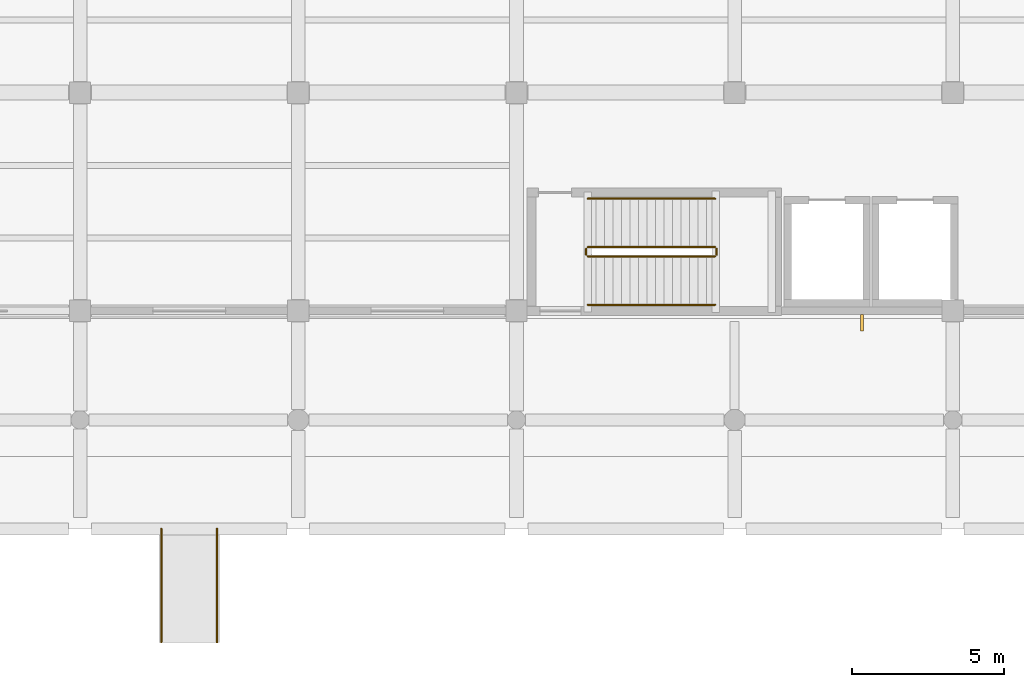
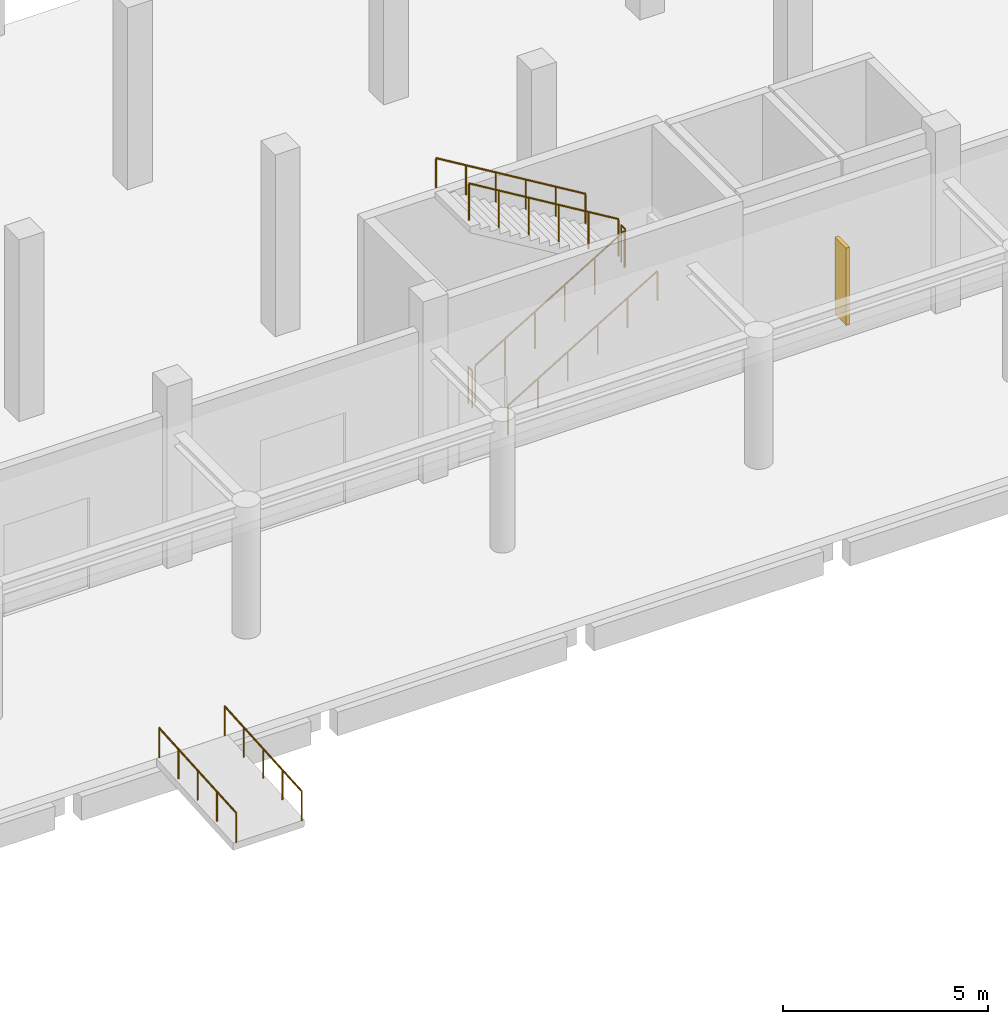
# One storey, part 33 of 46: 8 railings, 1 shading device.
"""IFC4 building model written with IfcOpenShell, lengths in metres."""

from ifc_helpers import new_model, si_unit, direction, frame, origin, origin_2d, place, context, subcontext, project, spatial, rectangle, circle, extrude, material, type_object, element, save


model = new_model("IFC4")

# Units and contexts
model_context = context("Model", 3, precision=1e-05, world=origin(), true_north=direction((0.0, 1.0)))
body_context = subcontext(model_context, "Body", "Model", "MODEL_VIEW")
ifc_project = project(units=[si_unit("LENGTHUNIT", "METRE"), si_unit("AREAUNIT", "SQUARE_METRE"), si_unit("VOLUMEUNIT", "CUBIC_METRE"), si_unit("PLANEANGLEUNIT", "RADIAN"), si_unit("MASSUNIT", "GRAM", prefix="KILO"), si_unit("THERMODYNAMICTEMPERATUREUNIT", "KELVIN"), si_unit("POWERUNIT", "WATT")], contexts=[model_context])

# Site, building, storey
site_placement = place(None, origin())
site = spatial("IfcSite", under=ifc_project, at=site_placement, CompositionType="ELEMENT")
building_placement = place(site_placement, origin())
building = spatial("IfcBuilding", under=site, at=building_placement, Name="Kaldorven Railside Theatre", CompositionType="ELEMENT")
storey_placement = place(building_placement, origin())
storey = spatial("IfcBuildingStorey", under=building, at=storey_placement, Name="L00", CompositionType="ELEMENT", Elevation=0.0)

# Railings
ifc_material_1 = material(Name="Anodised bronze aluminium", Category="aluminium")
railing_type_1 = type_object("IfcRailingType", Name="RLG-BAL-1100", PredefinedType="BALUSTRADE", material=ifc_material_1)
for number, where, name in (
    (1, (46.679931640625, 8.260009765625, -0.25), "Ramp Handrail RHR-02W"),
    (2, (48.52001953125, 8.260009765625, -0.25), "Ramp Handrail RHR-02E"),
):
    element("IfcRailing", number, at=place(storey_placement, frame(where)), inside=storey, type_object=railing_type_1, Name=name, PredefinedType="HANDRAIL", context=body_context, shape_type="SweptSolid", body=[
        extrude(circle(Radius=0.02392578125, at=origin_2d()), frame((0.0, 0.0, 0.8759765625), z_axis=(0.0, 0.997785157857, 0.066519010524), x_axis=(-1.0, 0.0, 0.0)), (0.0, 0.0, 1.0), 3.75830078125),
        extrude(circle(Radius=0.02099609375, at=origin_2d()), origin(), (0.0, 0.0, 1.0), 0.851806640625),
        extrude(circle(Radius=0.02099609375, at=origin_2d()), frame((0.0, 0.9375, 0.0625)), (0.0, 0.0, 1.0), 0.851806640625),
        extrude(circle(Radius=0.02099609375, at=origin_2d()), frame((0.0, 1.875, 0.125)), (0.0, 0.0, 1.0), 0.851806640625),
        extrude(circle(Radius=0.02099609375, at=origin_2d()), frame((0.0, 2.8125, 0.1875)), (0.0, 0.0, 1.0), 0.851806640625),
        extrude(circle(Radius=0.02099609375, at=origin_2d()), frame((0.0, 3.75, 0.25)), (0.0, 0.0, 1.0), 0.851806640625),
    ])
ifc_material_2 = material(Name="Steel S355", Category="steel")
railing_type_2 = type_object("IfcRailingType", Name="RLG-STG-1100", PredefinedType="BALUSTRADE", material=ifc_material_2)
railing_1_placement = place(storey_placement, frame((60.75, 21.0, 0.168701171875)))
element("IfcRailing", 3, at=railing_1_placement, inside=storey, type_object=railing_type_2, Name="L00 ST-03 stair guard 1", PredefinedType="BALUSTRADE", context=body_context, shape_type="SweptSolid", body=[
    extrude(circle(Radius=0.02392578125, at=origin_2d()), frame((0.0, 0.0, 1.09619140625), z_axis=(0.856476492594, 0.0, 0.516186030065), x_axis=(0.0, 1.0, 0.0)), (0.0, 0.0, 1.0), 4.90380859375),
    extrude(circle(Radius=0.02099609375, at=origin_2d()), origin(), (0.0, 0.0, 1.0), 1.072021484375),
    extrude(circle(Radius=0.02099609375, at=origin_2d()), frame((0.840087890625, 0.0, 0.50634765625)), (0.0, 0.0, 1.0), 1.072021484375),
    extrude(circle(Radius=0.02099609375, at=origin_2d()), frame((1.679931640625, 0.0, 1.012451171875)), (0.0, 0.0, 1.0), 1.072021484375),
    extrude(circle(Radius=0.02099609375, at=origin_2d()), frame((2.52001953125, 0.0, 1.518798828125)), (0.0, 0.0, 1.0), 1.072021484375),
    extrude(circle(Radius=0.02099609375, at=origin_2d()), frame((3.35986328125, 0.0, 2.02490234375)), (0.0, 0.0, 1.0), 1.072021484375),
    extrude(circle(Radius=0.02099609375, at=origin_2d()), frame((4.199951171875, 0.0, 2.53125)), (0.0, 0.0, 1.0), 1.072021484375),
])
railing_2_placement = place(storey_placement, frame((65.0, 21.050048828125, 2.699951171875)))
element("IfcRailing", 4, at=railing_2_placement, inside=storey, type_object=railing_type_2, Name="L00 ST-03 stair guard 2", PredefinedType="BALUSTRADE", context=body_context, shape_type="SweptSolid", body=[
    extrude(circle(Radius=0.02392578125, at=origin_2d()), frame((0.0, 0.0, 1.09619140625), z_axis=(0.0, 1.0, 0.0), x_axis=(-1.0, 0.0, 0.0)), (0.0, 0.0, 1.0), 0.199951171875),
    extrude(circle(Radius=0.02099609375, at=origin_2d()), origin(), (0.0, 0.0, 1.0), 1.072021484375),
    extrude(circle(Radius=0.02099609375, at=origin_2d()), frame((0.0, 0.199951171875, 0.0)), (0.0, 0.0, 1.0), 1.072021484375),
])
railing_3_placement = place(storey_placement, frame((64.949951171875, 21.300048828125, 2.86865234375)))
element("IfcRailing", 5, at=railing_3_placement, inside=storey, type_object=railing_type_2, Name="L00 ST-03 stair guard 3", PredefinedType="BALUSTRADE", context=body_context, shape_type="SweptSolid", body=[
    extrude(circle(Radius=0.02392578125, at=origin_2d()), frame((0.0, 0.0, 1.09619140625), z_axis=(-0.856476492594, 0.0, 0.516186030065), x_axis=(0.0, -1.0, 0.0)), (0.0, 0.0, 1.0), 4.90380859375),
    extrude(circle(Radius=0.02099609375, at=origin_2d()), origin(), (0.0, 0.0, 1.0), 1.072021484375),
    extrude(circle(Radius=0.02099609375, at=origin_2d()), frame((-0.840087890625, 0.0, 0.50634765625)), (0.0, 0.0, 1.0), 1.072021484375),
    extrude(circle(Radius=0.02099609375, at=origin_2d()), frame((-1.679931640625, 0.0, 1.012451171875)), (0.0, 0.0, 1.0), 1.072021484375),
    extrude(circle(Radius=0.02099609375, at=origin_2d()), frame((-2.52001953125, 0.0, 1.518798828125)), (0.0, 0.0, 1.0), 1.072021484375),
    extrude(circle(Radius=0.02099609375, at=origin_2d()), frame((-3.35986328125, 0.0, 2.02490234375)), (0.0, 0.0, 1.0), 1.072021484375),
    extrude(circle(Radius=0.02099609375, at=origin_2d()), frame((-4.199951171875, 0.0, 2.53125)), (0.0, 0.0, 1.0), 1.072021484375),
])
railing_4_placement = place(storey_placement, frame((60.699951171875, 21.050048828125, 0.0)))
element("IfcRailing", 6, at=railing_4_placement, inside=storey, type_object=railing_type_2, Name="L00 ST-03 stair guard 4", PredefinedType="BALUSTRADE", context=body_context, shape_type="SweptSolid", body=[
    extrude(circle(Radius=0.02392578125, at=origin_2d()), frame((0.0, 0.0, 1.09619140625), z_axis=(0.0, 1.0, 0.0), x_axis=(-1.0, 0.0, 0.0)), (0.0, 0.0, 1.0), 0.199951171875),
    extrude(circle(Radius=0.02099609375, at=origin_2d()), origin(), (0.0, 0.0, 1.0), 1.072021484375),
    extrude(circle(Radius=0.02099609375, at=origin_2d()), frame((0.0, 0.199951171875, 0.0)), (0.0, 0.0, 1.0), 1.072021484375),
])
railing_type_3 = type_object("IfcRailingType", Name="RLG-STH-900", PredefinedType="HANDRAIL", material=ifc_material_2)
railing_5_placement = place(storey_placement, frame((60.75, 19.39990234375, 0.168701171875)))
element("IfcRailing", 7, at=railing_5_placement, inside=storey, type_object=railing_type_3, Name="L00 ST-03 stair handrail 1", PredefinedType="HANDRAIL", context=body_context, shape_type="SweptSolid", body=[
    extrude(circle(Radius=0.02392578125, at=origin_2d()), frame((0.0, 0.0, 0.8759765625), z_axis=(0.856476492594, 0.0, 0.516186030065), x_axis=(0.0, 1.0, 0.0)), (0.0, 0.0, 1.0), 4.90380859375),
    extrude(circle(Radius=0.02099609375, at=origin_2d()), origin(), (0.0, 0.0, 1.0), 0.851806640625),
    extrude(circle(Radius=0.02099609375, at=origin_2d()), frame((0.840087890625, 0.0, 0.50634765625)), (0.0, 0.0, 1.0), 0.851806640625),
    extrude(circle(Radius=0.02099609375, at=origin_2d()), frame((1.679931640625, 0.0, 1.012451171875)), (0.0, 0.0, 1.0), 0.851806640625),
    extrude(circle(Radius=0.02099609375, at=origin_2d()), frame((2.52001953125, 0.0, 1.518798828125)), (0.0, 0.0, 1.0), 0.851806640625),
    extrude(circle(Radius=0.02099609375, at=origin_2d()), frame((3.35986328125, 0.0, 2.02490234375)), (0.0, 0.0, 1.0), 0.851806640625),
    extrude(circle(Radius=0.02099609375, at=origin_2d()), frame((4.199951171875, 0.0, 2.53125)), (0.0, 0.0, 1.0), 0.851806640625),
])
railing_6_placement = place(storey_placement, frame((64.949951171875, 22.89990234375, 2.86865234375)))
element("IfcRailing", 8, at=railing_6_placement, inside=storey, type_object=railing_type_3, Name="L00 ST-03 stair handrail 2", PredefinedType="HANDRAIL", context=body_context, shape_type="SweptSolid", body=[
    extrude(circle(Radius=0.02392578125, at=origin_2d()), frame((0.0, 0.0, 0.8759765625), z_axis=(-0.856476492594, 0.0, 0.516186030065), x_axis=(0.0, -1.0, 0.0)), (0.0, 0.0, 1.0), 4.90380859375),
    extrude(circle(Radius=0.02099609375, at=origin_2d()), origin(), (0.0, 0.0, 1.0), 0.851806640625),
    extrude(circle(Radius=0.02099609375, at=origin_2d()), frame((-0.840087890625, 0.0, 0.50634765625)), (0.0, 0.0, 1.0), 0.851806640625),
    extrude(circle(Radius=0.02099609375, at=origin_2d()), frame((-1.679931640625, 0.0, 1.012451171875)), (0.0, 0.0, 1.0), 0.851806640625),
    extrude(circle(Radius=0.02099609375, at=origin_2d()), frame((-2.52001953125, 0.0, 1.518798828125)), (0.0, 0.0, 1.0), 0.851806640625),
    extrude(circle(Radius=0.02099609375, at=origin_2d()), frame((-3.35986328125, 0.0, 2.02490234375)), (0.0, 0.0, 1.0), 0.851806640625),
    extrude(circle(Radius=0.02099609375, at=origin_2d()), frame((-4.199951171875, 0.0, 2.53125)), (0.0, 0.0, 1.0), 0.851806640625),
])

# Shading device
shading_device_type = type_object("IfcShadingDeviceType", Name="SHD-FIN-02", PredefinedType="USERDEFINED", material=ifc_material_1)
shading_device_placement = place(storey_placement, frame((69.800048828125, 18.803955078125, 0.7998046875), z_axis=(0.0, 0.0, 1.0), x_axis=(-1.0, 0.0, 0.0)))
element("IfcShadingDevice", 9, at=shading_device_placement, inside=storey, type_object=shading_device_type, Name="Anodised-Bronze Brise-Soleil Fin FIN-024", ObjectType="SUNSHADE", PredefinedType="USERDEFINED", context=body_context, shape_type="SweptSolid", body=[
    extrude(rectangle(XDim=0.10009765625, YDim=0.550048828125, at=origin_2d()), origin(), (0.0, 0.0, 1.0), 2.300048828125),
])

save(model, "model.ifc")
